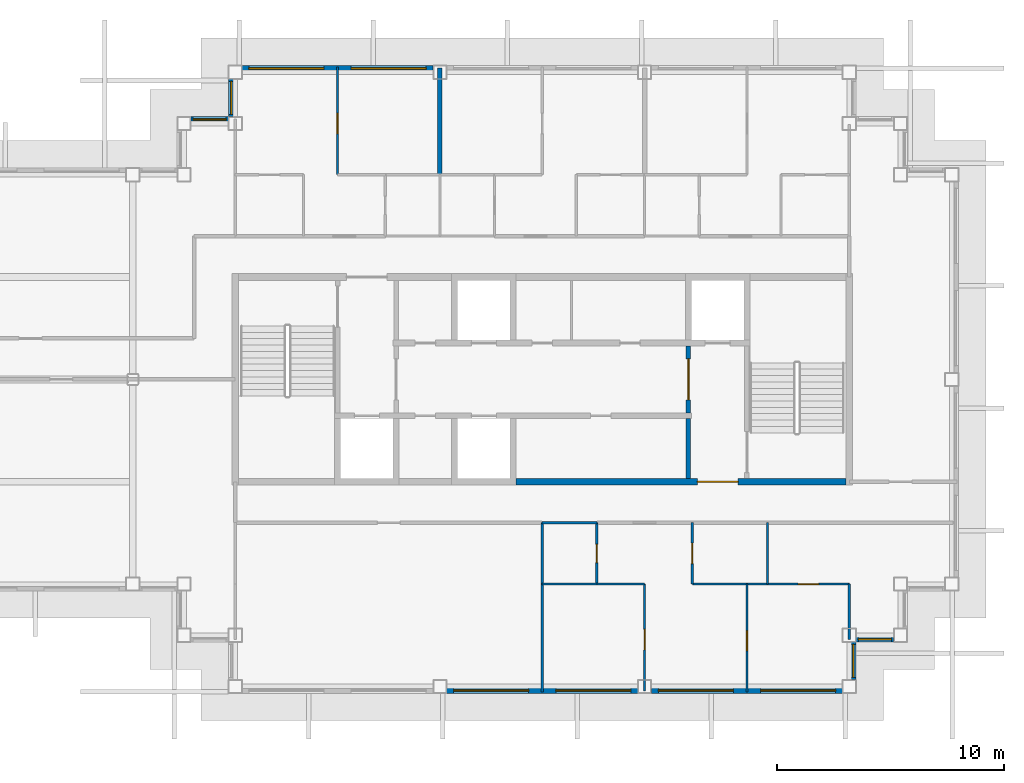
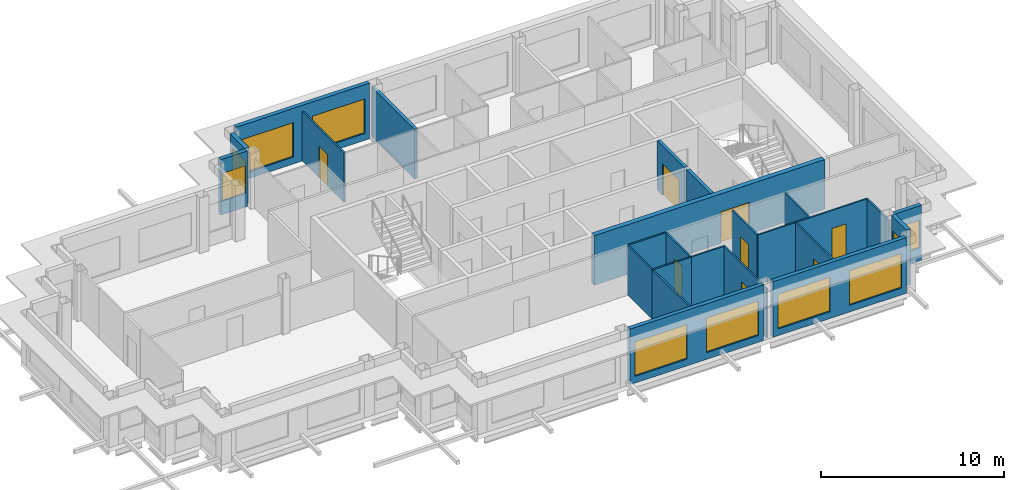
# One storey, part 4 of 11: 24 walls, 10 windows, 8 doors, 18 openings.
"""IFC4 building model written with IfcOpenShell, lengths in metres."""

from ifc_helpers import new_model, si_unit, direction, frame, frame_2d, origin, place, context, subcontext, project, spatial, rectangle, extrude, material, layer, layer_set, type_object, element, fill, save


model = new_model("IFC4")

# Units and contexts
model_context = context("Model", 3, precision=1e-05, world=origin(), true_north=direction((0.0, 1.0)))
body_context = subcontext(model_context, "Body", "Model", "MODEL_VIEW")
ifc_project = project(units=[si_unit("LENGTHUNIT", "METRE"), si_unit("AREAUNIT", "SQUARE_METRE"), si_unit("VOLUMEUNIT", "CUBIC_METRE"), si_unit("PLANEANGLEUNIT", "RADIAN"), si_unit("MASSUNIT", "GRAM", prefix="KILO")], contexts=[model_context])

# Site, building, storey
site_placement = place(None, origin())
site = spatial("IfcSite", under=ifc_project, at=site_placement, CompositionType="ELEMENT")
building_placement = place(site_placement, origin())
building = spatial("IfcBuilding", under=site, at=building_placement, Name="Caravel Reach Hotel and Residences", CompositionType="ELEMENT")
storey_placement = place(building_placement, frame((0.0, 0.0, 274.89990234375)))
storey = spatial("IfcBuildingStorey", under=building, at=storey_placement, Name="L70", CompositionType="ELEMENT", Elevation=274.89990234375)

# Walls
ifc_material_1 = material(Name="Gypsum board on steel stud", Category="steel")
ifc_layer_1 = layer(ifc_material_1, 0.10009765625)
ifc_layer_set_1 = layer_set([ifc_layer_1], Name="Bathroom pod wall 100 mm")
wall_type_1 = type_object("IfcWallType", Name="Bathroom pod wall 100 mm", PredefinedType="PARTITIONING", material=ifc_layer_set_1)
for number, where, z_axis, x_axis, name in (
    (1, (31.5, 18.0, 0.0), (0.0, 0.0, 1.0), (1.0, 0.0, 0.0), "L70 wall w055"),
    (2, (31.5, 20.699951171875, 0.0), (0.0, 0.0, 1.0), (1.0, 0.0, 0.0), "L70 wall w056"),
):
    element("IfcWall", number, at=place(storey_placement, frame(where, z_axis=z_axis, x_axis=x_axis)), inside=storey, type_object=wall_type_1, Name=name, PredefinedType="PARTITIONING", context=body_context, shape_type="SweptSolid", body=[
        extrude(rectangle(XDim=2.39990234375, YDim=0.10009765625, at=frame_2d((1.199951171875, 0.0))), origin(), (0.0, 0.0, 1.0), 3.300048828125),
    ])
wall_1_placement = place(storey_placement, frame((31.5, 18.0, 0.0), z_axis=(0.0, 0.0, 1.0), x_axis=(0.0, 1.0, 0.0)))
element("IfcWall", 3, at=wall_1_placement, inside=storey, type_object=wall_type_1, Name="L70 wall w066", PredefinedType="PARTITIONING", context=body_context, shape_type="SweptSolid", body=[
    extrude(rectangle(XDim=2.699951171875, YDim=0.10009765625, at=frame_2d((1.35009765625, 0.0))), origin(), (0.0, 0.0, 1.0), 3.300048828125),
])

# Wall, opening, door
wall_2_placement = place(storey_placement, frame((33.89990234375, 18.0, 0.0), z_axis=(0.0, 0.0, 1.0), x_axis=(0.0, 1.0, 0.0)))
wall_2 = element("IfcWall", 4, at=wall_2_placement, inside=storey, type_object=wall_type_1, Name="L70 wall w067", PredefinedType="PARTITIONING", context=body_context, shape_type="SweptSolid", body=[
    extrude(rectangle(XDim=2.699951171875, YDim=0.10009765625, at=frame_2d((1.35009765625, 0.0))), origin(), (0.0, 0.0, 1.0), 3.300048828125),
])
opening_1_placement = place(wall_2_placement, frame((0.949951171875, 0.0, 0.0)))
opening_1 = element("IfcOpeningElement", 5, at=opening_1_placement, cuts=wall_2, Name="Opening D70-032", PredefinedType="OPENING", context=body_context, shape_type="SweptSolid", body=[
    extrude(rectangle(XDim=0.800048828125, YDim=2.10009765625, at=frame_2d((0.39990234375, 1.050048828125))), frame((0.0, 0.06005859375, 0.0), z_axis=(0.0, -1.0, 0.0), x_axis=(1.0, 0.0, 0.0)), (0.0, 0.0, 1.0), 0.1201171875),
])
ifc_material_2 = material(Name="Timber and steel door leaf", Category="steel")
door_type_1 = type_object("IfcDoorType", Name="Bathroom door 800 x 2100", OperationType="SINGLE_SWING_LEFT", PredefinedType="DOOR", material=ifc_material_2)
door_1_placement = place(opening_1_placement, origin())
door_1 = element("IfcDoor", 6, at=door_1_placement, inside=storey, type_object=door_type_1, Name="door D70-032", OperationType="SINGLE_SWING_LEFT", OverallHeight=2.10009765625, OverallWidth=0.800048828125, PredefinedType="DOOR", context=body_context, shape_type="SweptSolid", body=[
    extrude(rectangle(XDim=0.800048828125, YDim=2.10009765625, at=frame_2d((0.39990234375, 1.050048828125))), frame((0.0, 0.02490234375, 0.0), z_axis=(0.0, -1.0, 0.0), x_axis=(1.0, 0.0, 0.0)), (0.0, 0.0, 1.0), 0.050048828125),
])
fill(opening_1, door_1)

# Wall
ifc_material_3 = material(Name="Autoclaved aerated block wall")
ifc_layer_2 = layer(ifc_material_3, 0.199951171875)
ifc_layer_set_2 = layer_set([ifc_layer_2], Name="Compartment wall 200 mm EI 120")
wall_type_2 = type_object("IfcWallType", Name="Compartment wall 200 mm EI 120", PredefinedType="PARTITIONING", material=ifc_layer_set_2)
wall_3_placement = place(storey_placement, frame((37.928466796875, 22.64990234375, 0.0), z_axis=(0.0, 0.0, 1.0), x_axis=(0.0, 1.0, 0.0)))
element("IfcWall", 7, at=wall_3_placement, inside=storey, type_object=wall_type_2, Name="L70 store partition", PredefinedType="PARTITIONING", context=body_context, shape_type="SweptSolid", body=[
    extrude(rectangle(XDim=2.625, YDim=0.199951171875, at=frame_2d((1.3125, 0.0))), origin(), (0.0, 0.0, 1.0), 3.300048828125),
])

# Wall, opening, door
ifc_material_4 = material(Name="Concrete C60", Category="concrete")
ifc_layer_3 = layer(ifc_material_4, 0.300048828125)
ifc_layer_set_3 = layer_set([ifc_layer_3], Name="Core wall 300 mm EI 120")
wall_type_3 = type_object("IfcWallType", Name="Core wall 300 mm EI 120", PredefinedType="SHEAR", material=ifc_layer_set_3)
wall_4_placement = place(storey_placement, frame((30.33935546875, 22.5, 0.0), z_axis=(0.0, 0.0, 1.0), x_axis=(1.0, 0.0, 0.0)))
wall_4 = element("IfcWall", 8, at=wall_4_placement, inside=storey, type_object=wall_type_3, Name="L70 core wall S3", PredefinedType="SHEAR", context=body_context, shape_type="SweptSolid", body=[
    extrude(rectangle(XDim=14.5107421875, YDim=0.300048828125, at=frame_2d((7.25537109375, 0.0))), origin(), (0.0, 0.0, 1.0), 3.300048828125),
])
opening_2_placement = place(wall_4_placement, frame((7.97509765625, 0.0, 0.0)))
opening_2 = element("IfcOpeningElement", 9, at=opening_2_placement, cuts=wall_4, Name="Opening D70-015", PredefinedType="OPENING", context=body_context, shape_type="SweptSolid", body=[
    extrude(rectangle(XDim=1.800048828125, YDim=2.10009765625, at=frame_2d((0.89990234375, 1.050048828125))), frame((0.0, 0.159912109375, 0.0), z_axis=(0.0, -1.0, 0.0), x_axis=(1.0, 0.0, 0.0)), (0.0, 0.0, 1.0), 0.320068359375),
])
ifc_material_5 = material(Name="Steel fire door leaf", Category="steel")
door_type_2 = type_object("IfcDoorType", Name="Fire lobby door pair 1800 x 2100 EI 90", OperationType="DOUBLE_DOOR_SINGLE_SWING", PredefinedType="DOOR", material=ifc_material_5)
door_2_placement = place(opening_2_placement, origin())
door_2 = element("IfcDoor", 10, at=door_2_placement, inside=storey, type_object=door_type_2, Name="lobby S door pair to corridor", OperationType="DOUBLE_DOOR_SINGLE_SWING", OverallHeight=2.10009765625, OverallWidth=1.800048828125, PredefinedType="DOOR", context=body_context, shape_type="SweptSolid", body=[
    extrude(rectangle(XDim=1.800048828125, YDim=2.10009765625, at=frame_2d((0.89990234375, 1.050048828125))), frame((0.0, 0.02490234375, 0.0), z_axis=(0.0, -1.0, 0.0), x_axis=(1.0, 0.0, 0.0)), (0.0, 0.0, 1.0), 0.050048828125),
])
fill(opening_2, door_2)

# Wall, openings, windows
ifc_material_6 = material(Name="Insulated rainscreen wall, aluminium cladding", Category="aluminium")
ifc_layer_4 = layer(ifc_material_6, 0.25)
ifc_layer_set_4 = layer_set([ifc_layer_4], Name="EW1 Tower rainscreen wall")
wall_type_4 = type_object("IfcWallType", Name="EW1 Tower rainscreen wall", PredefinedType="SOLIDWALL", material=ifc_layer_set_4)
wall_5_placement = place(storey_placement, frame((27.300048828125, 13.324951171875, 0.0), z_axis=(0.0, 0.0, 1.0), x_axis=(1.0, 0.0, 0.0)))
wall_5 = element("IfcWall", 11, at=wall_5_placement, inside=storey, type_object=wall_type_4, Name="External wall L70 S4.2", PredefinedType="SOLIDWALL", context=body_context, shape_type="SweptSolid", body=[
    extrude(rectangle(XDim=8.39990234375, YDim=0.25, at=frame_2d((4.199951171875, 0.0))), origin(), (0.0, 0.0, 1.0), 3.7001953125),
])
opening_3_placement = place(wall_5_placement, frame((0.300048828125, 0.0, 0.449951171875)))
opening_3 = element("IfcOpeningElement", 12, at=opening_3_placement, cuts=wall_5, Name="Opening WN15", PredefinedType="OPENING", context=body_context, shape_type="SweptSolid", body=[
    extrude(rectangle(XDim=3.300048828125, YDim=2.300048828125, at=frame_2d((1.64990234375, 1.14990234375))), frame((0.0, 0.135009765625, 0.0), z_axis=(0.0, -1.0, 0.0), x_axis=(1.0, 0.0, 0.0)), (0.0, 0.0, 1.0), 0.27001953125),
])
opening_4_placement = place(wall_5_placement, frame((4.800048828125, 0.0, 0.449951171875)))
opening_4 = element("IfcOpeningElement", 13, at=opening_4_placement, cuts=wall_5, Name="Opening WN15", PredefinedType="OPENING", context=body_context, shape_type="SweptSolid", body=[
    extrude(rectangle(XDim=3.300048828125, YDim=2.300048828125, at=frame_2d((1.64990234375, 1.14990234375))), frame((0.0, 0.135009765625, 0.0), z_axis=(0.0, -1.0, 0.0), x_axis=(1.0, 0.0, 0.0)), (0.0, 0.0, 1.0), 0.27001953125),
])
ifc_material_7 = material(Name="Dark low-e glazing in black aluminium frame", Category="aluminium")
window_type_1 = type_object("IfcWindowType", Name="Residence living window 3300 x 2300", PartitioningType="SINGLE_PANEL", PredefinedType="WINDOW", material=ifc_material_7)
window_1_placement = place(opening_3_placement, origin())
window_1 = element("IfcWindow", 14, at=window_1_placement, inside=storey, type_object=window_type_1, Name="Window L70 S4.2.1", OverallHeight=2.300048828125, OverallWidth=3.300048828125, PartitioningType="SINGLE_PANEL", PredefinedType="WINDOW", context=body_context, shape_type="SweptSolid", body=[
    extrude(rectangle(XDim=3.300048828125, YDim=2.300048828125, at=frame_2d((1.64990234375, 1.14990234375))), frame((0.0, 0.030029296875, 0.0), z_axis=(0.0, -1.0, 0.0), x_axis=(1.0, 0.0, 0.0)), (0.0, 0.0, 1.0), 0.06005859375),
])
fill(opening_3, window_1)
window_2_placement = place(opening_4_placement, origin())
window_2 = element("IfcWindow", 15, at=window_2_placement, inside=storey, type_object=window_type_1, Name="Window L70 S4.2.2", OverallHeight=2.300048828125, OverallWidth=3.300048828125, PartitioningType="SINGLE_PANEL", PredefinedType="WINDOW", context=body_context, shape_type="SweptSolid", body=[
    extrude(rectangle(XDim=3.300048828125, YDim=2.300048828125, at=frame_2d((1.64990234375, 1.14990234375))), frame((0.0, 0.030029296875, 0.0), z_axis=(0.0, -1.0, 0.0), x_axis=(1.0, 0.0, 0.0)), (0.0, 0.0, 1.0), 0.06005859375),
])
fill(opening_4, window_2)

wall_6_placement = place(storey_placement, frame((36.300048828125, 13.324951171875, 0.0), z_axis=(0.0, 0.0, 1.0), x_axis=(1.0, 0.0, 0.0)))
wall_6 = element("IfcWall", 16, at=wall_6_placement, inside=storey, type_object=wall_type_4, Name="External wall L70 S4.3", PredefinedType="SOLIDWALL", context=body_context, shape_type="SweptSolid", body=[
    extrude(rectangle(XDim=8.39990234375, YDim=0.25, at=frame_2d((4.199951171875, 0.0))), origin(), (0.0, 0.0, 1.0), 3.7001953125),
])
opening_5_placement = place(wall_6_placement, frame((0.300048828125, 0.0, 0.449951171875)))
opening_5 = element("IfcOpeningElement", 17, at=opening_5_placement, cuts=wall_6, Name="Opening WN15", PredefinedType="OPENING", context=body_context, shape_type="SweptSolid", body=[
    extrude(rectangle(XDim=3.300048828125, YDim=2.300048828125, at=frame_2d((1.64990234375, 1.14990234375))), frame((0.0, 0.135009765625, 0.0), z_axis=(0.0, -1.0, 0.0), x_axis=(1.0, 0.0, 0.0)), (0.0, 0.0, 1.0), 0.27001953125),
])
opening_6_placement = place(wall_6_placement, frame((4.800048828125, 0.0, 0.449951171875)))
opening_6 = element("IfcOpeningElement", 18, at=opening_6_placement, cuts=wall_6, Name="Opening WN15", PredefinedType="OPENING", context=body_context, shape_type="SweptSolid", body=[
    extrude(rectangle(XDim=3.300048828125, YDim=2.300048828125, at=frame_2d((1.64990234375, 1.14990234375))), frame((0.0, 0.135009765625, 0.0), z_axis=(0.0, -1.0, 0.0), x_axis=(1.0, 0.0, 0.0)), (0.0, 0.0, 1.0), 0.27001953125),
])
window_3_placement = place(opening_5_placement, origin())
window_3 = element("IfcWindow", 19, at=window_3_placement, inside=storey, type_object=window_type_1, Name="Window L70 S4.3.1", OverallHeight=2.300048828125, OverallWidth=3.300048828125, PartitioningType="SINGLE_PANEL", PredefinedType="WINDOW", context=body_context, shape_type="SweptSolid", body=[
    extrude(rectangle(XDim=3.300048828125, YDim=2.300048828125, at=frame_2d((1.64990234375, 1.14990234375))), frame((0.0, 0.030029296875, 0.0), z_axis=(0.0, -1.0, 0.0), x_axis=(1.0, 0.0, 0.0)), (0.0, 0.0, 1.0), 0.06005859375),
])
fill(opening_5, window_3)
window_4_placement = place(opening_6_placement, origin())
window_4 = element("IfcWindow", 20, at=window_4_placement, inside=storey, type_object=window_type_1, Name="Window L70 S4.3.2", OverallHeight=2.300048828125, OverallWidth=3.300048828125, PartitioningType="SINGLE_PANEL", PredefinedType="WINDOW", context=body_context, shape_type="SweptSolid", body=[
    extrude(rectangle(XDim=3.300048828125, YDim=2.300048828125, at=frame_2d((1.64990234375, 1.14990234375))), frame((0.0, 0.030029296875, 0.0), z_axis=(0.0, -1.0, 0.0), x_axis=(1.0, 0.0, 0.0)), (0.0, 0.0, 1.0), 0.06005859375),
])
fill(opening_6, window_4)

# Wall, opening, window
wall_7_placement = place(storey_placement, frame((45.175048828125, 13.800048828125, 0.0), z_axis=(0.0, 0.0, 1.0), x_axis=(0.0, 1.0, 0.0)))
wall_7 = element("IfcWall", 21, at=wall_7_placement, inside=storey, type_object=wall_type_4, Name="External wall L70 E5.1", PredefinedType="SOLIDWALL", context=body_context, shape_type="SweptSolid", body=[
    extrude(rectangle(XDim=1.64990234375, YDim=0.25, at=frame_2d((0.824951171875, 0.0))), origin(), (0.0, 0.0, 1.0), 3.7001953125),
])
opening_7_placement = place(wall_7_placement, frame((0.10009765625, 0.0, 0.89990234375)))
opening_7 = element("IfcOpeningElement", 22, at=opening_7_placement, cuts=wall_7, Name="Opening WN25", PredefinedType="OPENING", context=body_context, shape_type="SweptSolid", body=[
    extrude(rectangle(XDim=1.449951171875, YDim=1.85009765625, at=frame_2d((0.72509765625, 0.925048828125))), frame((0.0, 0.135009765625, 0.0), z_axis=(0.0, -1.0, 0.0), x_axis=(1.0, 0.0, 0.0)), (0.0, 0.0, 1.0), 0.27001953125),
])
ifc_material_8 = material(Name="Dark low-e glazing in black aluminium frame", Category="aluminium")
window_type_2 = type_object("IfcWindowType", Name="Residence bedroom window 1450 x 1850", PartitioningType="SINGLE_PANEL", PredefinedType="WINDOW", material=ifc_material_8)
window_5_placement = place(opening_7_placement, origin())
window_5 = element("IfcWindow", 23, at=window_5_placement, inside=storey, type_object=window_type_2, Name="Window L70 E5.1.1", OverallHeight=1.85009765625, OverallWidth=1.449951171875, PartitioningType="SINGLE_PANEL", PredefinedType="WINDOW", context=body_context, shape_type="SweptSolid", body=[
    extrude(rectangle(XDim=1.449951171875, YDim=1.85009765625, at=frame_2d((0.72509765625, 0.925048828125))), frame((0.0, 0.030029296875, 0.0), z_axis=(0.0, -1.0, 0.0), x_axis=(1.0, 0.0, 0.0)), (0.0, 0.0, 1.0), 0.06005859375),
])
fill(opening_7, window_5)

wall_8_placement = place(storey_placement, frame((45.300048828125, 15.574951171875, 0.0), z_axis=(0.0, 0.0, 1.0), x_axis=(1.0, 0.0, 0.0)))
wall_8 = element("IfcWall", 24, at=wall_8_placement, inside=storey, type_object=wall_type_4, Name="External wall L70 S6.1", PredefinedType="SOLIDWALL", context=body_context, shape_type="SweptSolid", body=[
    extrude(rectangle(XDim=1.64990234375, YDim=0.25, at=frame_2d((0.824951171875, 0.0))), origin(), (0.0, 0.0, 1.0), 3.7001953125),
])
opening_8_placement = place(wall_8_placement, frame((0.10009765625, 0.0, 0.89990234375)))
opening_8 = element("IfcOpeningElement", 25, at=opening_8_placement, cuts=wall_8, Name="Opening WN25", PredefinedType="OPENING", context=body_context, shape_type="SweptSolid", body=[
    extrude(rectangle(XDim=1.449951171875, YDim=1.85009765625, at=frame_2d((0.72509765625, 0.925048828125))), frame((0.0, 0.135009765625, 0.0), z_axis=(0.0, -1.0, 0.0), x_axis=(1.0, 0.0, 0.0)), (0.0, 0.0, 1.0), 0.27001953125),
])
window_6_placement = place(opening_8_placement, origin())
window_6 = element("IfcWindow", 26, at=window_6_placement, inside=storey, type_object=window_type_2, Name="Window L70 S6.1.1", OverallHeight=1.85009765625, OverallWidth=1.449951171875, PartitioningType="SINGLE_PANEL", PredefinedType="WINDOW", context=body_context, shape_type="SweptSolid", body=[
    extrude(rectangle(XDim=1.449951171875, YDim=1.85009765625, at=frame_2d((0.72509765625, 0.925048828125))), frame((0.0, 0.030029296875, 0.0), z_axis=(0.0, -1.0, 0.0), x_axis=(1.0, 0.0, 0.0)), (0.0, 0.0, 1.0), 0.06005859375),
])
fill(opening_8, window_6)

# Wall, openings, windows
wall_9_placement = place(storey_placement, frame((26.699951171875, 40.675048828125, 0.0), z_axis=(0.0, 0.0, 1.0), x_axis=(-1.0, 0.0, 0.0)))
wall_9 = element("IfcWall", 27, at=wall_9_placement, inside=storey, type_object=wall_type_4, Name="External wall L70 N14.3", PredefinedType="SOLIDWALL", context=body_context, shape_type="SweptSolid", body=[
    extrude(rectangle(XDim=8.39990234375, YDim=0.25, at=frame_2d((4.199951171875, 0.0))), origin(), (0.0, 0.0, 1.0), 3.7001953125),
])
opening_9_placement = place(wall_9_placement, frame((0.300048828125, 0.0, 0.449951171875)))
opening_9 = element("IfcOpeningElement", 28, at=opening_9_placement, cuts=wall_9, Name="Opening WN15", PredefinedType="OPENING", context=body_context, shape_type="SweptSolid", body=[
    extrude(rectangle(XDim=3.300048828125, YDim=2.300048828125, at=frame_2d((1.64990234375, 1.14990234375))), frame((0.0, 0.135009765625, 0.0), z_axis=(0.0, -1.0, 0.0), x_axis=(1.0, 0.0, 0.0)), (0.0, 0.0, 1.0), 0.27001953125),
])
opening_10_placement = place(wall_9_placement, frame((4.800048828125, 0.0, 0.449951171875)))
opening_10 = element("IfcOpeningElement", 29, at=opening_10_placement, cuts=wall_9, Name="Opening WN15", PredefinedType="OPENING", context=body_context, shape_type="SweptSolid", body=[
    extrude(rectangle(XDim=3.300048828125, YDim=2.300048828125, at=frame_2d((1.64990234375, 1.14990234375))), frame((0.0, 0.135009765625, 0.0), z_axis=(0.0, -1.0, 0.0), x_axis=(1.0, 0.0, 0.0)), (0.0, 0.0, 1.0), 0.27001953125),
])
window_7_placement = place(opening_9_placement, origin())
window_7 = element("IfcWindow", 30, at=window_7_placement, inside=storey, type_object=window_type_1, Name="Window L70 N14.3.1", OverallHeight=2.300048828125, OverallWidth=3.300048828125, PartitioningType="SINGLE_PANEL", PredefinedType="WINDOW", context=body_context, shape_type="SweptSolid", body=[
    extrude(rectangle(XDim=3.300048828125, YDim=2.300048828125, at=frame_2d((1.64990234375, 1.14990234375))), frame((0.0, 0.030029296875, 0.0), z_axis=(0.0, -1.0, 0.0), x_axis=(1.0, 0.0, 0.0)), (0.0, 0.0, 1.0), 0.06005859375),
])
fill(opening_9, window_7)
window_8_placement = place(opening_10_placement, origin())
window_8 = element("IfcWindow", 31, at=window_8_placement, inside=storey, type_object=window_type_1, Name="Window L70 N14.3.2", OverallHeight=2.300048828125, OverallWidth=3.300048828125, PartitioningType="SINGLE_PANEL", PredefinedType="WINDOW", context=body_context, shape_type="SweptSolid", body=[
    extrude(rectangle(XDim=3.300048828125, YDim=2.300048828125, at=frame_2d((1.64990234375, 1.14990234375))), frame((0.0, 0.030029296875, 0.0), z_axis=(0.0, -1.0, 0.0), x_axis=(1.0, 0.0, 0.0)), (0.0, 0.0, 1.0), 0.06005859375),
])
fill(opening_10, window_8)

# Wall, opening, window
wall_10_placement = place(storey_placement, frame((17.824951171875, 40.199951171875, 0.0), z_axis=(0.0, 0.0, 1.0), x_axis=(0.0, -1.0, 0.0)))
wall_10 = element("IfcWall", 32, at=wall_10_placement, inside=storey, type_object=wall_type_4, Name="External wall L70 W15.1", PredefinedType="SOLIDWALL", context=body_context, shape_type="SweptSolid", body=[
    extrude(rectangle(XDim=1.64990234375, YDim=0.25, at=frame_2d((0.824951171875, 0.0))), origin(), (0.0, 0.0, 1.0), 3.7001953125),
])
opening_11_placement = place(wall_10_placement, frame((0.10009765625, 0.0, 0.89990234375)))
opening_11 = element("IfcOpeningElement", 33, at=opening_11_placement, cuts=wall_10, Name="Opening WN25", PredefinedType="OPENING", context=body_context, shape_type="SweptSolid", body=[
    extrude(rectangle(XDim=1.449951171875, YDim=1.85009765625, at=frame_2d((0.72509765625, 0.925048828125))), frame((0.0, 0.135009765625, 0.0), z_axis=(0.0, -1.0, 0.0), x_axis=(1.0, 0.0, 0.0)), (0.0, 0.0, 1.0), 0.27001953125),
])
window_9_placement = place(opening_11_placement, origin())
window_9 = element("IfcWindow", 34, at=window_9_placement, inside=storey, type_object=window_type_2, Name="Window L70 W15.1.1", OverallHeight=1.85009765625, OverallWidth=1.449951171875, PartitioningType="SINGLE_PANEL", PredefinedType="WINDOW", context=body_context, shape_type="SweptSolid", body=[
    extrude(rectangle(XDim=1.449951171875, YDim=1.85009765625, at=frame_2d((0.72509765625, 0.925048828125))), frame((0.0, 0.030029296875, 0.0), z_axis=(0.0, -1.0, 0.0), x_axis=(1.0, 0.0, 0.0)), (0.0, 0.0, 1.0), 0.06005859375),
])
fill(opening_11, window_9)

wall_11_placement = place(storey_placement, frame((17.699951171875, 38.425048828125, 0.0), z_axis=(0.0, 0.0, 1.0), x_axis=(-1.0, 0.0, 0.0)))
wall_11 = element("IfcWall", 35, at=wall_11_placement, inside=storey, type_object=wall_type_4, Name="External wall L70 N16.1", PredefinedType="SOLIDWALL", context=body_context, shape_type="SweptSolid", body=[
    extrude(rectangle(XDim=1.64990234375, YDim=0.25, at=frame_2d((0.824951171875, 0.0))), origin(), (0.0, 0.0, 1.0), 3.7001953125),
])
opening_12_placement = place(wall_11_placement, frame((0.10009765625, 0.0, 0.89990234375)))
opening_12 = element("IfcOpeningElement", 36, at=opening_12_placement, cuts=wall_11, Name="Opening WN25", PredefinedType="OPENING", context=body_context, shape_type="SweptSolid", body=[
    extrude(rectangle(XDim=1.449951171875, YDim=1.85009765625, at=frame_2d((0.72509765625, 0.925048828125))), frame((0.0, 0.135009765625, 0.0), z_axis=(0.0, -1.0, 0.0), x_axis=(1.0, 0.0, 0.0)), (0.0, 0.0, 1.0), 0.27001953125),
])
window_10_placement = place(opening_12_placement, origin())
window_10 = element("IfcWindow", 37, at=window_10_placement, inside=storey, type_object=window_type_2, Name="Window L70 N16.1.1", OverallHeight=1.85009765625, OverallWidth=1.449951171875, PartitioningType="SINGLE_PANEL", PredefinedType="WINDOW", context=body_context, shape_type="SweptSolid", body=[
    extrude(rectangle(XDim=1.449951171875, YDim=1.85009765625, at=frame_2d((0.72509765625, 0.925048828125))), frame((0.0, 0.030029296875, 0.0), z_axis=(0.0, -1.0, 0.0), x_axis=(1.0, 0.0, 0.0)), (0.0, 0.0, 1.0), 0.06005859375),
])
fill(opening_12, window_10)

# Wall, opening, door
ifc_material_9 = material(Name="Autoclaved aerated block wall")
ifc_layer_5 = layer(ifc_material_9, 0.199951171875)
ifc_layer_set_5 = layer_set([ifc_layer_5], Name="Fire lobby wall 200 mm EI 120")
wall_type_5 = type_object("IfcWallType", Name="Fire lobby wall 200 mm EI 120", PredefinedType="PARTITIONING", material=ifc_layer_set_5)
wall_12_placement = place(storey_placement, frame((37.928466796875, 25.52490234375, 0.0), z_axis=(0.0, 0.0, 1.0), x_axis=(0.0, 1.0, 0.0)))
wall_12 = element("IfcWall", 38, at=wall_12_placement, inside=storey, type_object=wall_type_5, Name="L70 lobby E wall", PredefinedType="PARTITIONING", context=body_context, shape_type="SweptSolid", body=[
    extrude(rectangle(XDim=2.9501953125, YDim=0.199951171875, at=frame_2d((1.47509765625, 0.0))), origin(), (0.0, 0.0, 1.0), 3.300048828125),
])
opening_13_placement = place(wall_12_placement, frame((0.574951171875, 0.0, 0.0)))
opening_13 = element("IfcOpeningElement", 39, at=opening_13_placement, cuts=wall_12, Name="Opening D70-013", PredefinedType="OPENING", context=body_context, shape_type="SweptSolid", body=[
    extrude(rectangle(XDim=1.800048828125, YDim=2.10009765625, at=frame_2d((0.89990234375, 1.050048828125))), frame((0.0, 0.10986328125, 0.0), z_axis=(0.0, -1.0, 0.0), x_axis=(1.0, 0.0, 0.0)), (0.0, 0.0, 1.0), 0.219970703125),
])
door_3_placement = place(opening_13_placement, origin())
door_3 = element("IfcDoor", 40, at=door_3_placement, inside=storey, type_object=door_type_2, Name="lobby E door pair", OperationType="DOUBLE_DOOR_SINGLE_SWING", OverallHeight=2.10009765625, OverallWidth=1.800048828125, PredefinedType="DOOR", context=body_context, shape_type="SweptSolid", body=[
    extrude(rectangle(XDim=1.800048828125, YDim=2.10009765625, at=frame_2d((0.89990234375, 1.050048828125))), frame((0.0, 0.02490234375, 0.0), z_axis=(0.0, -1.0, 0.0), x_axis=(1.0, 0.0, 0.0)), (0.0, 0.0, 1.0), 0.050048828125),
])
fill(opening_13, door_3)

# Wall
ifc_material_10 = material(Name="Gypsum board on steel stud", Category="steel")
ifc_layer_6 = layer(ifc_material_10, 0.10009765625)
ifc_layer_set_6 = layer_set([ifc_layer_6], Name="Partition 100 mm")
wall_type_6 = type_object("IfcWallType", Name="Partition 100 mm", PredefinedType="PARTITIONING", material=ifc_layer_set_6)
wall_13_placement = place(storey_placement, frame((33.89990234375, 18.0, 0.0), z_axis=(0.0, 0.0, 1.0), x_axis=(1.0, 0.0, 0.0)))
element("IfcWall", 41, at=wall_13_placement, inside=storey, type_object=wall_type_6, Name="L70 wall w021", PredefinedType="PARTITIONING", context=body_context, shape_type="SweptSolid", body=[
    extrude(rectangle(XDim=2.10009765625, YDim=0.10009765625, at=frame_2d((1.050048828125, 0.0))), origin(), (0.0, 0.0, 1.0), 3.300048828125),
])

# Wall, opening, door
wall_14_placement = place(storey_placement, frame((38.10009765625, 18.0, 0.0), z_axis=(0.0, 0.0, 1.0), x_axis=(1.0, 0.0, 0.0)))
wall_14 = element("IfcWall", 42, at=wall_14_placement, inside=storey, type_object=wall_type_6, Name="L70 wall w023", PredefinedType="PARTITIONING", context=body_context, shape_type="SweptSolid", body=[
    extrude(rectangle(XDim=6.89990234375, YDim=0.10009765625, at=frame_2d((3.449951171875, 0.0))), origin(), (0.0, 0.0, 1.0), 3.300048828125),
])
opening_14_placement = place(wall_14_placement, frame((4.650146484375, 0.0, 0.0)))
opening_14 = element("IfcOpeningElement", 43, at=opening_14_placement, cuts=wall_14, Name="Opening D70-034", PredefinedType="OPENING", context=body_context, shape_type="SweptSolid", body=[
    extrude(rectangle(XDim=0.89990234375, YDim=2.10009765625, at=frame_2d((0.449951171875, 1.050048828125))), frame((0.0, 0.06005859375, 0.0), z_axis=(0.0, -1.0, 0.0), x_axis=(1.0, 0.0, 0.0)), (0.0, 0.0, 1.0), 0.1201171875),
])
ifc_material_11 = material(Name="Timber and steel door leaf", Category="steel")
door_type_3 = type_object("IfcDoorType", Name="Door 900 x 2100 timber", OperationType="SINGLE_SWING_LEFT", PredefinedType="DOOR", material=ifc_material_11)
door_4_placement = place(opening_14_placement, origin())
door_4 = element("IfcDoor", 44, at=door_4_placement, inside=storey, type_object=door_type_3, Name="door D70-034", OperationType="SINGLE_SWING_LEFT", OverallHeight=2.10009765625, OverallWidth=0.89990234375, PredefinedType="DOOR", context=body_context, shape_type="SweptSolid", body=[
    extrude(rectangle(XDim=0.89990234375, YDim=2.10009765625, at=frame_2d((0.449951171875, 1.050048828125))), frame((0.0, 0.02490234375, 0.0), z_axis=(0.0, -1.0, 0.0), x_axis=(1.0, 0.0, 0.0)), (0.0, 0.0, 1.0), 0.050048828125),
])
fill(opening_14, door_4)

wall_15_placement = place(storey_placement, frame((22.5, 36.0, 0.0), z_axis=(0.0, 0.0, 1.0), x_axis=(0.0, 1.0, 0.0)))
wall_15 = element("IfcWall", 45, at=wall_15_placement, inside=storey, type_object=wall_type_6, Name="L70 wall w037", PredefinedType="PARTITIONING", context=body_context, shape_type="SweptSolid", body=[
    extrude(rectangle(XDim=4.739990234375, YDim=0.10009765625, at=frame_2d((2.3701171875, 0.0))), origin(), (0.0, 0.0, 1.0), 3.300048828125),
])
opening_15_placement = place(wall_15_placement, frame((1.800048828125, 0.0, 0.0)))
opening_15 = element("IfcOpeningElement", 46, at=opening_15_placement, cuts=wall_15, Name="Opening D70-019", PredefinedType="OPENING", context=body_context, shape_type="SweptSolid", body=[
    extrude(rectangle(XDim=0.89990234375, YDim=2.10009765625, at=frame_2d((0.449951171875, 1.050048828125))), frame((0.0, 0.06005859375, 0.0), z_axis=(0.0, -1.0, 0.0), x_axis=(1.0, 0.0, 0.0)), (0.0, 0.0, 1.0), 0.1201171875),
])
door_5_placement = place(opening_15_placement, origin())
door_5 = element("IfcDoor", 47, at=door_5_placement, inside=storey, type_object=door_type_3, Name="door D70-019", OperationType="SINGLE_SWING_RIGHT", OverallHeight=2.10009765625, OverallWidth=0.89990234375, PredefinedType="DOOR", context=body_context, shape_type="SweptSolid", body=[
    extrude(rectangle(XDim=0.89990234375, YDim=2.10009765625, at=frame_2d((0.449951171875, 1.050048828125))), frame((0.0, 0.02490234375, 0.0), z_axis=(0.0, -1.0, 0.0), x_axis=(1.0, 0.0, 0.0)), (0.0, 0.0, 1.0), 0.050048828125),
])
fill(opening_15, door_5)

# Wall
wall_16_placement = place(storey_placement, frame((31.5, 13.260009765625, 0.0), z_axis=(0.0, 0.0, 1.0), x_axis=(0.0, 1.0, 0.0)))
element("IfcWall", 48, at=wall_16_placement, inside=storey, type_object=wall_type_6, Name="L70 wall w039", PredefinedType="PARTITIONING", context=body_context, shape_type="SweptSolid", body=[
    extrude(rectangle(XDim=4.739990234375, YDim=0.10009765625, at=frame_2d((2.3701171875, 0.0))), origin(), (0.0, 0.0, 1.0), 3.300048828125),
])

# Wall, opening, door
wall_17_placement = place(storey_placement, frame((36.0, 13.31005859375, 0.0), z_axis=(0.0, 0.0, 1.0), x_axis=(0.0, 1.0, 0.0)))
wall_17 = element("IfcWall", 49, at=wall_17_placement, inside=storey, type_object=wall_type_6, Name="L70 wall w041", PredefinedType="PARTITIONING", context=body_context, shape_type="SweptSolid", body=[
    extrude(rectangle(XDim=4.68994140625, YDim=0.10009765625, at=frame_2d((2.344970703125, 0.0))), origin(), (0.0, 0.0, 1.0), 3.300048828125),
])
opening_16_placement = place(wall_17_placement, frame((1.800048828125, 0.0, 0.0)))
opening_16 = element("IfcOpeningElement", 50, at=opening_16_placement, cuts=wall_17, Name="Opening D70-035", PredefinedType="OPENING", context=body_context, shape_type="SweptSolid", body=[
    extrude(rectangle(XDim=0.89990234375, YDim=2.10009765625, at=frame_2d((0.449951171875, 1.050048828125))), frame((0.0, 0.06005859375, 0.0), z_axis=(0.0, -1.0, 0.0), x_axis=(1.0, 0.0, 0.0)), (0.0, 0.0, 1.0), 0.1201171875),
])
door_6_placement = place(opening_16_placement, origin())
door_6 = element("IfcDoor", 51, at=door_6_placement, inside=storey, type_object=door_type_3, Name="door D70-035", OperationType="SINGLE_SWING_LEFT", OverallHeight=2.10009765625, OverallWidth=0.89990234375, PredefinedType="DOOR", context=body_context, shape_type="SweptSolid", body=[
    extrude(rectangle(XDim=0.89990234375, YDim=2.10009765625, at=frame_2d((0.449951171875, 1.050048828125))), frame((0.0, 0.02490234375, 0.0), z_axis=(0.0, -1.0, 0.0), x_axis=(1.0, 0.0, 0.0)), (0.0, 0.0, 1.0), 0.050048828125),
])
fill(opening_16, door_6)

wall_18_placement = place(storey_placement, frame((38.10009765625, 18.0, 0.0), z_axis=(0.0, 0.0, 1.0), x_axis=(0.0, 1.0, 0.0)))
wall_18 = element("IfcWall", 52, at=wall_18_placement, inside=storey, type_object=wall_type_6, Name="L70 wall w042", PredefinedType="PARTITIONING", context=body_context, shape_type="SweptSolid", body=[
    extrude(rectangle(XDim=2.699951171875, YDim=0.10009765625, at=frame_2d((1.35009765625, 0.0))), origin(), (0.0, 0.0, 1.0), 3.300048828125),
])
opening_17_placement = place(wall_18_placement, frame((0.89990234375, 0.0, 0.0)))
opening_17 = element("IfcOpeningElement", 53, at=opening_17_placement, cuts=wall_18, Name="Opening D70-033", PredefinedType="OPENING", context=body_context, shape_type="SweptSolid", body=[
    extrude(rectangle(XDim=0.89990234375, YDim=2.10009765625, at=frame_2d((0.449951171875, 1.050048828125))), frame((0.0, 0.06005859375, 0.0), z_axis=(0.0, -1.0, 0.0), x_axis=(1.0, 0.0, 0.0)), (0.0, 0.0, 1.0), 0.1201171875),
])
door_7_placement = place(opening_17_placement, origin())
door_7 = element("IfcDoor", 54, at=door_7_placement, inside=storey, type_object=door_type_3, Name="door D70-033", OperationType="SINGLE_SWING_LEFT", OverallHeight=2.10009765625, OverallWidth=0.89990234375, PredefinedType="DOOR", context=body_context, shape_type="SweptSolid", body=[
    extrude(rectangle(XDim=0.89990234375, YDim=2.10009765625, at=frame_2d((0.449951171875, 1.050048828125))), frame((0.0, 0.02490234375, 0.0), z_axis=(0.0, -1.0, 0.0), x_axis=(1.0, 0.0, 0.0)), (0.0, 0.0, 1.0), 0.050048828125),
])
fill(opening_17, door_7)

wall_19_placement = place(storey_placement, frame((40.5, 13.260009765625, 0.0), z_axis=(0.0, 0.0, 1.0), x_axis=(0.0, 1.0, 0.0)))
wall_19 = element("IfcWall", 55, at=wall_19_placement, inside=storey, type_object=wall_type_6, Name="L70 wall w047", PredefinedType="PARTITIONING", context=body_context, shape_type="SweptSolid", body=[
    extrude(rectangle(XDim=4.739990234375, YDim=0.10009765625, at=frame_2d((2.3701171875, 0.0))), origin(), (0.0, 0.0, 1.0), 3.300048828125),
])
opening_18_placement = place(wall_19_placement, frame((1.800048828125, 0.0, 0.0)))
opening_18 = element("IfcOpeningElement", 56, at=opening_18_placement, cuts=wall_19, Name="Opening D70-036", PredefinedType="OPENING", context=body_context, shape_type="SweptSolid", body=[
    extrude(rectangle(XDim=0.89990234375, YDim=2.10009765625, at=frame_2d((0.449951171875, 1.050048828125))), frame((0.0, 0.06005859375, 0.0), z_axis=(0.0, -1.0, 0.0), x_axis=(1.0, 0.0, 0.0)), (0.0, 0.0, 1.0), 0.1201171875),
])
door_8_placement = place(opening_18_placement, origin())
door_8 = element("IfcDoor", 57, at=door_8_placement, inside=storey, type_object=door_type_3, Name="door D70-036", OperationType="SINGLE_SWING_LEFT", OverallHeight=2.10009765625, OverallWidth=0.89990234375, PredefinedType="DOOR", context=body_context, shape_type="SweptSolid", body=[
    extrude(rectangle(XDim=0.89990234375, YDim=2.10009765625, at=frame_2d((0.449951171875, 1.050048828125))), frame((0.0, 0.02490234375, 0.0), z_axis=(0.0, -1.0, 0.0), x_axis=(1.0, 0.0, 0.0)), (0.0, 0.0, 1.0), 0.050048828125),
])
fill(opening_18, door_8)

# Walls
wall_20_placement = place(storey_placement, frame((41.39990234375, 18.0, 0.0), z_axis=(0.0, 0.0, 1.0), x_axis=(0.0, 1.0, 0.0)))
element("IfcWall", 58, at=wall_20_placement, inside=storey, type_object=wall_type_6, Name="L70 wall w048", PredefinedType="PARTITIONING", context=body_context, shape_type="SweptSolid", body=[
    extrude(rectangle(XDim=2.699951171875, YDim=0.10009765625, at=frame_2d((1.35009765625, 0.0))), origin(), (0.0, 0.0, 1.0), 3.300048828125),
])
wall_21_placement = place(storey_placement, frame((45.0, 15.56005859375, 0.0), z_axis=(0.0, 0.0, 1.0), x_axis=(0.0, 1.0, 0.0)))
element("IfcWall", 59, at=wall_21_placement, inside=storey, type_object=wall_type_6, Name="L70 wall w052", PredefinedType="PARTITIONING", context=body_context, shape_type="SweptSolid", body=[
    extrude(rectangle(XDim=2.43994140625, YDim=0.10009765625, at=frame_2d((1.219970703125, 0.0))), origin(), (0.0, 0.0, 1.0), 3.300048828125),
])
ifc_material_12 = material(Name="Autoclaved aerated block wall")
ifc_layer_7 = layer(ifc_material_12, 0.199951171875)
ifc_layer_set_7 = layer_set([ifc_layer_7], Name="Party wall 200 mm EI 60")
wall_type_7 = type_object("IfcWallType", Name="Party wall 200 mm EI 60", PredefinedType="PARTITIONING", material=ifc_layer_set_7)
wall_22_placement = place(storey_placement, frame((27.0, 36.0, 0.0), z_axis=(0.0, 0.0, 1.0), x_axis=(0.0, 1.0, 0.0)))
element("IfcWall", 60, at=wall_22_placement, inside=storey, type_object=wall_type_7, Name="L70 wall w053", PredefinedType="PARTITIONING", context=body_context, shape_type="SweptSolid", body=[
    extrude(rectangle(XDim=4.68994140625, YDim=0.199951171875, at=frame_2d((2.344970703125, 0.0))), origin(), (0.0, 0.0, 1.0), 3.300048828125),
])

save(model, "model.ifc")
